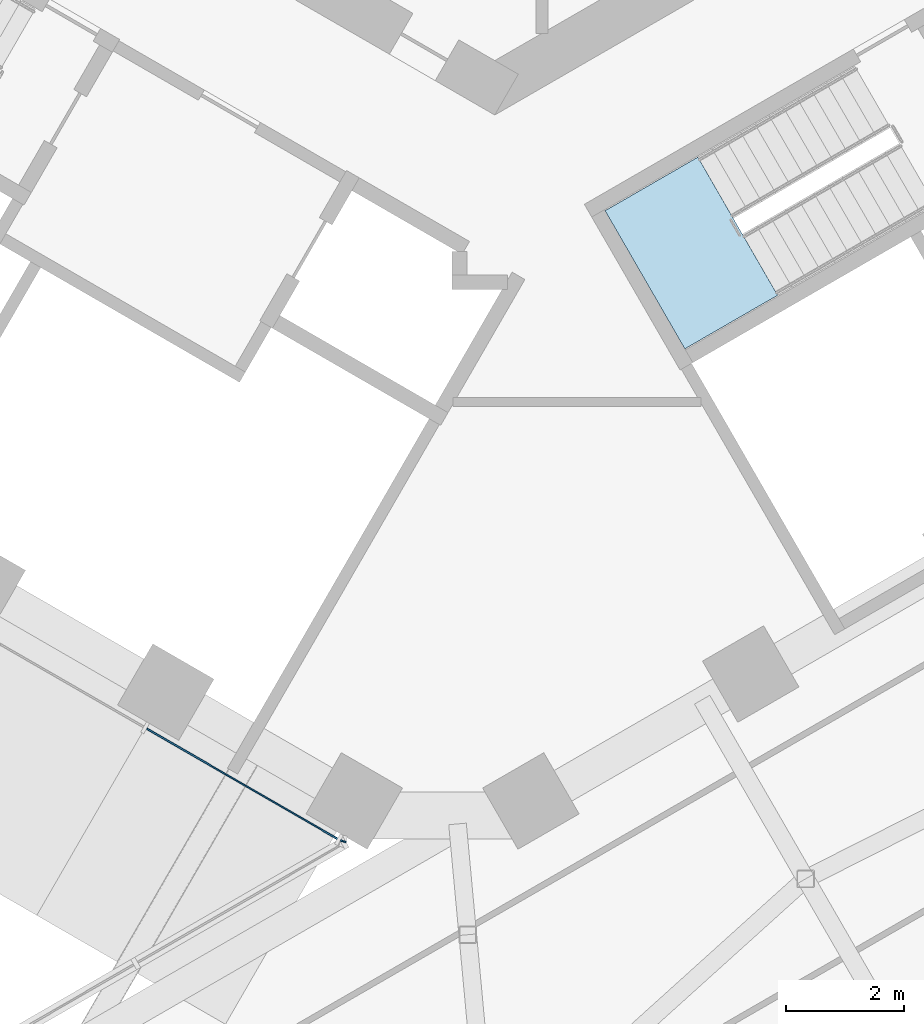
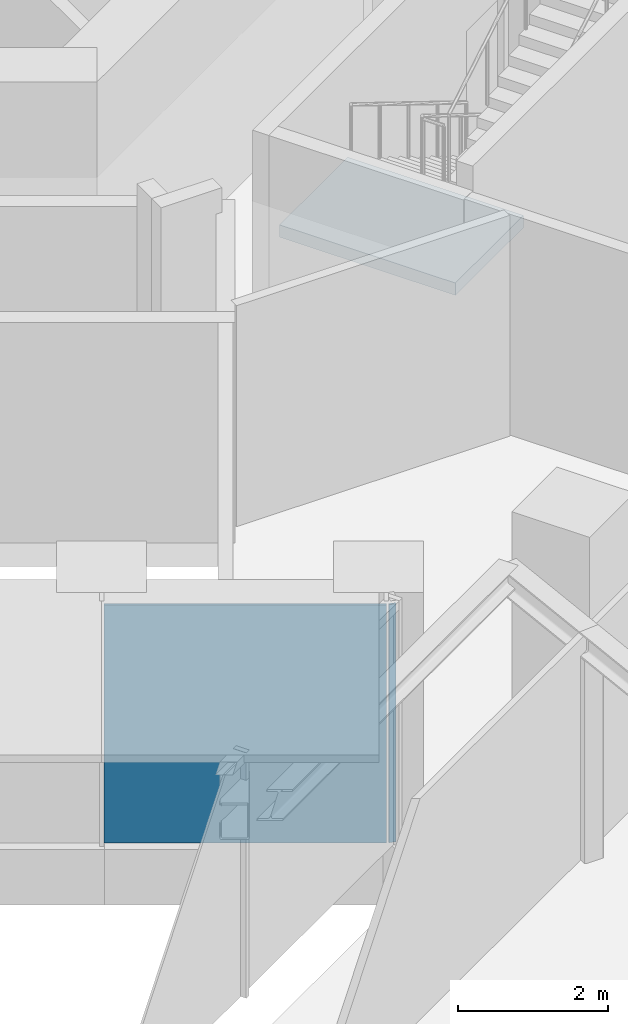
# One storey, part 12 of 28: 2 plates, 1 slab, 3 elements without a shape of their own.
"""IFC4 building model written with IfcOpenShell, lengths in metres."""

from ifc_helpers import new_model, si_unit, direction, frame, origin, origin_2d, place, context, subcontext, project, spatial, polyline, rectangle, outline, extrude, material, layer, layer_set, type_object, element, aggregate, save


model = new_model("IFC4")

# Units and contexts
model_context = context("Model", 3, precision=1e-05, world=origin(), true_north=direction((0.0, 1.0)))
body_context = subcontext(model_context, "Body", "Model", "MODEL_VIEW")
ifc_project = project(units=[si_unit("LENGTHUNIT", "METRE"), si_unit("AREAUNIT", "SQUARE_METRE"), si_unit("VOLUMEUNIT", "CUBIC_METRE"), si_unit("PLANEANGLEUNIT", "RADIAN"), si_unit("MASSUNIT", "GRAM", prefix="KILO")], contexts=[model_context])

# Site, building, storey
site_placement = place(None, origin())
site = spatial("IfcSite", under=ifc_project, at=site_placement, CompositionType="ELEMENT")
building_placement = place(site_placement, origin())
building = spatial("IfcBuilding", under=site, at=building_placement, Name="Ayvan Gate Tower", CompositionType="ELEMENT")
storey_placement = place(building_placement, frame((0.0, 0.0, 74.300048828125)))
storey = spatial("IfcBuildingStorey", under=building, at=storey_placement, Name="L19", CompositionType="ELEMENT", Elevation=74.300048828125)

# Stair, slab
ifc_material_1 = material(Name="Concrete C40/50", Category="concrete")
stair_type = type_object("IfcStairType", Name="ST-EXIT", PredefinedType="HALF_TURN_STAIR", material=ifc_material_1)
stair_placement = place(storey_placement, origin())
stair = element("IfcStair", 1, at=stair_placement, inside=storey, type_object=stair_type, Name="L19 Exit Stair S3", PredefinedType="HALF_TURN_STAIR")
ifc_layer_1 = layer(ifc_material_1, 0.199951171875)
ifc_layer_set_1 = layer_set([ifc_layer_1], Name="Concrete C40/50")
slab_type = type_object("IfcSlabType", Name="SL-LANDING-200", PredefinedType="LANDING", material=ifc_layer_set_1)
slab_placement = place(storey_placement, frame((0.0, 0.0, 1.800048828125)))
slab = element("IfcSlab", 2, at=slab_placement, type_object=slab_type, Name="STS3 landing 1", PredefinedType="LANDING", context=body_context, shape_type="SweptSolid", body=[
    extrude(outline(polyline([(3.449951171875, -11.685546875), (1.873779296875, -12.595458984375), (3.228759765625, -14.9423828125), (4.804931640625, -14.032470703125), (3.449951171875, -11.685546875)])), origin(), (0.0, 0.0, 1.0), 0.199951171875),
])
aggregate(stair, [slab])

# Curtain wall, plate
ifc_material_2 = material(Name="Bronze anodised aluminium", Category="aluminium")
ifc_layer_2 = layer(ifc_material_2, 0.199951171875)
ifc_layer_set_2 = layer_set([ifc_layer_2], Name="Bronze anodised aluminium")
curtain_wall_type_1 = type_object("IfcCurtainWallType", Name="Stick curtain wall CW-1", PredefinedType="NOTDEFINED", material=ifc_layer_set_2)
curtain_wall_1_placement = place(storey_placement, origin())
curtain_wall_1 = element("IfcCurtainWall", 3, at=curtain_wall_1_placement, inside=storey, type_object=curtain_wall_type_1, Name="Stick curtain wall CW-1 L19", PredefinedType="NOTDEFINED")
ifc_material_3 = material(Name="Clear low-iron laminated glass", Category="glass")
ifc_layer_3 = layer(ifc_material_3, 0.028076171875)
ifc_layer_set_3 = layer_set([ifc_layer_3], Name="Clear low-iron laminated glass")
plate_type_1 = type_object("IfcPlateType", Name="Stick curtain wall CW-1 glass panel", PredefinedType="CURTAIN_PANEL", material=ifc_layer_set_3)
plate_1_placement = place(storey_placement, frame((-4.280517578125, -22.3369140625, 0.0), z_axis=(0.0, 0.0, 1.0), x_axis=(0.866025403784, -0.5, 0.0)))
plate_1 = element("IfcPlate", 4, at=plate_1_placement, type_object=plate_type_1, Name="CW-1 glass panel 5", PredefinedType="CURTAIN_PANEL", context=body_context, shape_type="SweptSolid", body=[
    extrude(rectangle(XDim=3.77001953125, YDim=0.028076171875, at=origin_2d()), origin(), (0.0, 0.0, 1.0), 3.8798828125),
])
aggregate(curtain_wall_1, [plate_1])

ifc_layer_4 = layer(ifc_material_2, 0.199951171875)
ifc_layer_set_4 = layer_set([ifc_layer_4], Name="Bronze anodised aluminium")
curtain_wall_type_2 = type_object("IfcCurtainWallType", Name="Stick curtain wall CW-6", PredefinedType="NOTDEFINED", material=ifc_layer_set_4)
curtain_wall_2_placement = place(storey_placement, origin())
curtain_wall_2 = element("IfcCurtainWall", 5, at=curtain_wall_2_placement, inside=storey, type_object=curtain_wall_type_2, Name="Stick curtain wall CW-6 L19", PredefinedType="NOTDEFINED")
ifc_layer_5 = layer(ifc_material_3, 0.028076171875)
ifc_layer_set_5 = layer_set([ifc_layer_5], Name="Clear low-iron laminated glass")
plate_type_2 = type_object("IfcPlateType", Name="Stick curtain wall CW-6 glass panel", PredefinedType="CURTAIN_PANEL", material=ifc_layer_set_5)
plate_2_placement = place(storey_placement, frame((-2.573974609375, -23.307373046875, 0.0), z_axis=(0.0, 0.0, 1.0), x_axis=(0.965925826289, -0.258819045103, 0.0)))
plate_2 = element("IfcPlate", 6, at=plate_2_placement, type_object=plate_type_2, Name="CW-6 glass panel 1", PredefinedType="CURTAIN_PANEL", context=body_context, shape_type="SweptSolid", body=[
    extrude(rectangle(XDim=0.099365234375, YDim=0.028076171875, at=origin_2d()), origin(), (0.0, 0.0, 1.0), 3.8798828125),
])
aggregate(curtain_wall_2, [plate_2])

save(model, "model.ifc")
